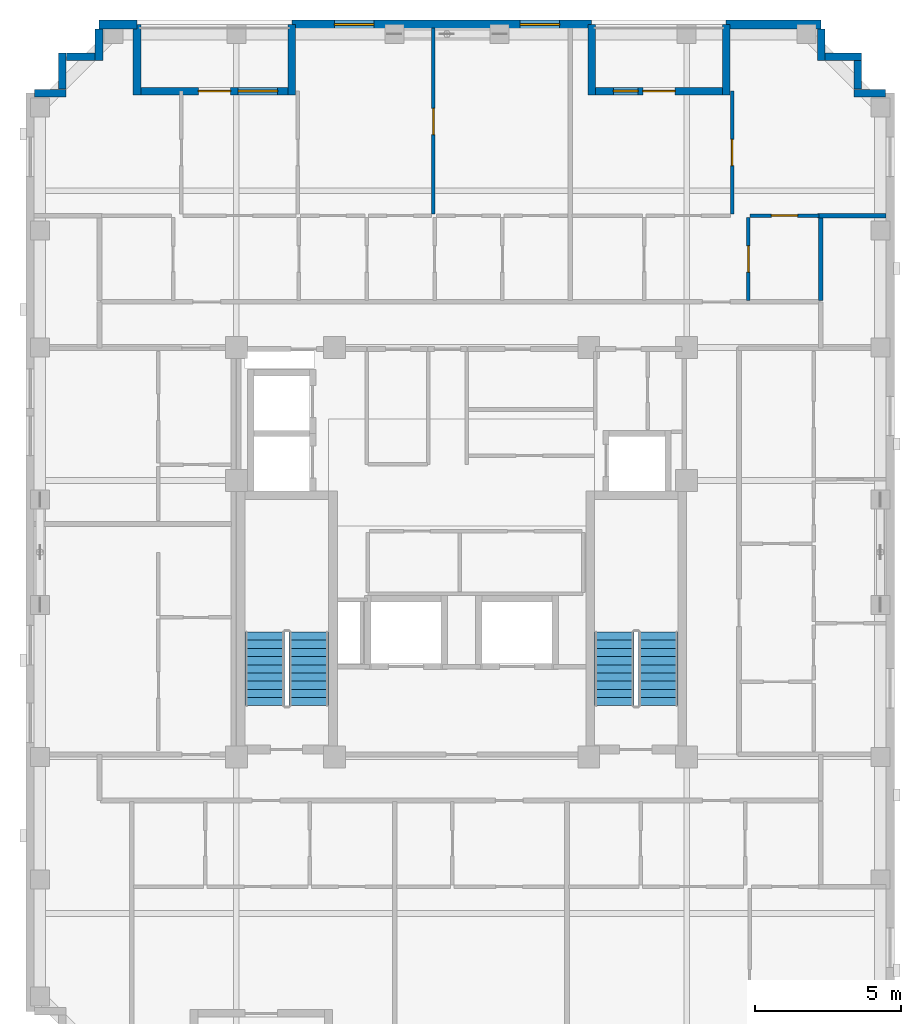
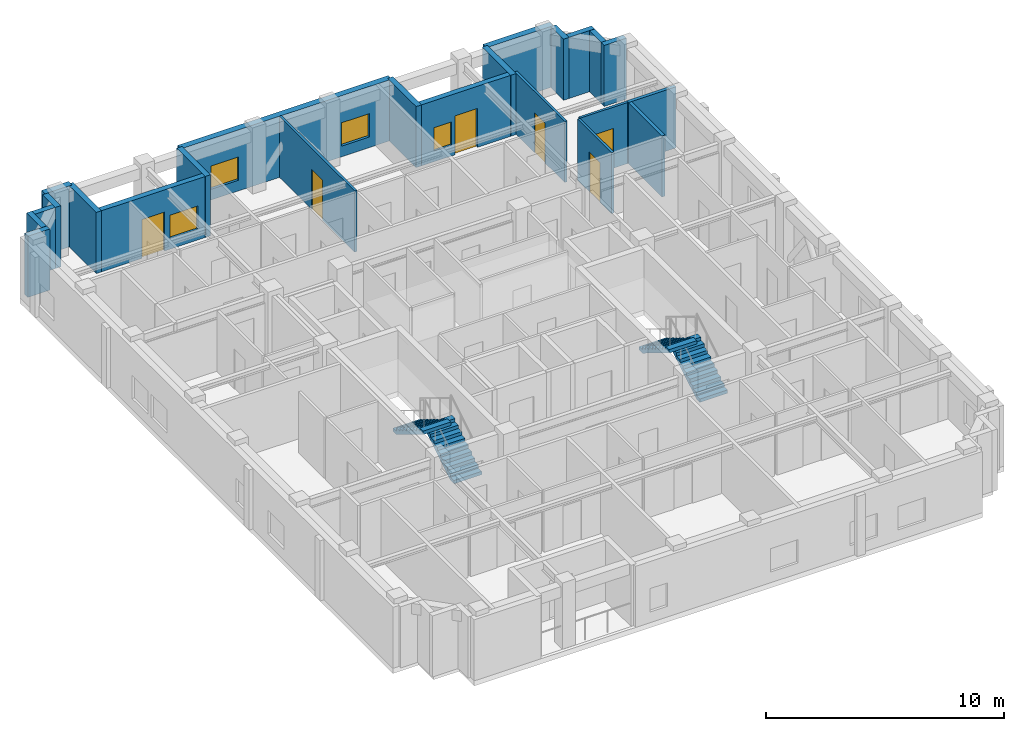
# One storey, part 7 of 11: 23 walls, 6 doors, 4 stair flights, 4 windows, 10 openings, 2 elements without a shape of their own.
"""IFC4 building model written with IfcOpenShell, lengths in metres."""

import ifcopenshell
import ifcopenshell.guid

model = None  # the IFC model being written
_history = None  # IfcOwnerHistory: only IFC2X3 demands one
_inside = {}  # id of a spatial element -> (the spatial element, [elements in it])
_under = {}  # id of a project, library or spatial element -> (it, [spatial elements below it])
_declared = {}  # id of a project -> (the project, [libraries it declares])
_typed = {}  # id of a type object -> (the type object, [elements of that type])
_made_of = {}  # id of a material, layer set ... -> (it, [elements and type objects made of it])


def new_model(schema):
    """Start an empty IFC model of exactly this schema.

    Asked for "IFC4X3", IfcOpenShell would pick the latest addendum, in which some entities
    have other attributes; the version numbers below select the first issue.
    IFC2X3 requires an IfcOwnerHistory on every rooted entity: one is made here for all.
    """
    global model, _history
    if schema == "IFC4X3":
        model = ifcopenshell.file(schema_version=(4, 3, 0, 0))
    else:
        model = ifcopenshell.file(schema=schema)
    _inside.clear()
    _under.clear()
    _declared.clear()
    _typed.clear()
    _made_of.clear()
    _history = None
    if model.schema == "IFC2X3":
        org = make("IfcOrganization", Name="unknown")
        user = make(
            "IfcPersonAndOrganization",
            ThePerson=make("IfcPerson", FamilyName="unknown"),
            TheOrganization=org,
        )
        app = make(
            "IfcApplication",
            ApplicationDeveloper=org,
            Version="unknown",
            ApplicationFullName="unknown",
            ApplicationIdentifier="unknown",
        )
        _history = make(
            "IfcOwnerHistory",
            OwningUser=user,
            OwningApplication=app,
            ChangeAction="ADDED",
            CreationDate=0,
        )
    return model


def make(cls, **values):
    """One entity of the class cls with the attributes given. An attribute that is None is left unset."""
    return model.create_entity(
        cls, **{name: value for name, value in values.items() if value is not None}
    )


def rooted(cls, **values):
    """An entity with a GlobalId (a new one), such as an element, a storey or a relation."""
    return make(cls, GlobalId=ifcopenshell.guid.new(), OwnerHistory=_history, **values)


def si_unit(unit_type, name, prefix=None):
    """IfcSIUnit, for example si_unit("LENGTHUNIT", "METRE", prefix="MILLI")."""
    return make("IfcSIUnit", UnitType=unit_type, Prefix=prefix, Name=name)


def derived_unit(unit_type, elements):
    """IfcDerivedUnit: a product of units, each with its exponent."""
    return make(
        "IfcDerivedUnit",
        Elements=[
            make("IfcDerivedUnitElement", Unit=unit, Exponent=power)
            for unit, power in elements
        ],
        UnitType=unit_type,
    )


def assignment(units):
    """IfcUnitAssignment: the units of a project."""
    return None if units is None else make("IfcUnitAssignment", Units=units)


def point(xyz):
    """IfcCartesianPoint."""
    return None if xyz is None else make("IfcCartesianPoint", Coordinates=xyz)


def direction(xyz):
    """IfcDirection."""
    return None if xyz is None else make("IfcDirection", DirectionRatios=xyz)


def frame(location, z_axis=None, x_axis=None):
    """IfcAxis2Placement3D, a coordinate frame: its origin and axes. An axis left out is left unset."""
    return make(
        "IfcAxis2Placement3D",
        Location=point(location),
        Axis=direction(z_axis),
        RefDirection=direction(x_axis),
    )


def frame_2d(location, x_axis=None):
    """IfcAxis2Placement2D, a coordinate frame in the plane: its origin and x axis."""
    return make(
        "IfcAxis2Placement2D", Location=point(location), RefDirection=direction(x_axis)
    )


def origin():
    """The frame at (0, 0, 0) with its axes left unset."""
    return frame((0.0, 0.0, 0.0))


def place(relative_to, where):
    """IfcLocalPlacement: puts the frame where relative to a parent placement (None: the world)."""
    return make(
        "IfcLocalPlacement", PlacementRelTo=relative_to, RelativePlacement=where
    )


def context(
    kind, dimensions, precision=None, world=None, true_north=None, identifier=None
):
    """IfcGeometricRepresentationContext, for example the 3D "Model" context."""
    return make(
        "IfcGeometricRepresentationContext",
        ContextIdentifier=identifier,
        ContextType=kind,
        CoordinateSpaceDimension=dimensions,
        Precision=precision,
        WorldCoordinateSystem=world,
        TrueNorth=true_north,
    )


def subcontext(parent, identifier, kind, view, scale=None):
    """IfcGeometricRepresentationSubContext, for example "Body" below "Model"."""
    return make(
        "IfcGeometricRepresentationSubContext",
        ContextIdentifier=identifier,
        ContextType=kind,
        ParentContext=parent,
        TargetScale=scale,
        TargetView=view,
    )


def project(units=None, contexts=None):
    """IfcProject with its units and contexts."""
    return rooted(
        "IfcProject",
        Name="project",
        RepresentationContexts=contexts,
        UnitsInContext=assignment(units),
    )


def spatial(cls, under=None, at=None, **own):
    """A site, building, storey or space (cls), placed at a placement, below another one or the project."""
    s = rooted(cls, ObjectPlacement=at, **own)
    if under is not None:
        _under.setdefault(under.id(), (under, []))[1].append(s)
    return s


def polyline(points):
    """IfcPolyline through the points."""
    return make("IfcPolyline", Points=[point(p) for p in points])


def profile(cls, at=None, kind="AREA", **sizes):
    """A parametric profile (cls). Its sizes go by their IFC names, for example OverallWidth=200.0."""
    return make(cls, ProfileType=kind, Position=at, **sizes)


def rectangle(**sizes):
    """IfcRectangleProfileDef."""
    return profile("IfcRectangleProfileDef", **sizes)


def outline(outer, holes=None, kind="AREA"):
    """IfcArbitraryClosedProfileDef: a profile drawn as a closed curve; with holes, ...WithVoids."""
    if holes is None:
        return make("IfcArbitraryClosedProfileDef", ProfileType=kind, OuterCurve=outer)
    return make(
        "IfcArbitraryProfileDefWithVoids",
        ProfileType=kind,
        OuterCurve=outer,
        InnerCurves=holes,
    )


def extrude(swept, where, along, depth):
    """IfcExtrudedAreaSolid: the profile swept, set in the frame where, extruded along a direction by depth."""
    return make(
        "IfcExtrudedAreaSolid",
        SweptArea=swept,
        Position=where,
        ExtrudedDirection=direction(along),
        Depth=depth,
    )


def shape(context_of_items, identifier, shape_type, items):
    """IfcShapeRepresentation: the items that make up one representation, for example the "Body"."""
    return make(
        "IfcShapeRepresentation",
        ContextOfItems=context_of_items,
        RepresentationIdentifier=identifier,
        RepresentationType=shape_type,
        Items=items,
    )


def material(Name=None, Category=None):
    """IfcMaterial."""
    return make("IfcMaterial", Name=Name, Category=Category)


def layer(
    of_material, thickness, ventilated=None, Name=None, Category=None, Priority=None
):
    """IfcMaterialLayer: one layer of a wall or slab, of a material (None: an air gap)."""
    return make(
        "IfcMaterialLayer",
        Material=of_material,
        LayerThickness=thickness,
        IsVentilated=ventilated,
        Name=Name,
        Category=Category,
        Priority=Priority,
    )


def layer_set(layers, Name=None):
    """IfcMaterialLayerSet."""
    return make("IfcMaterialLayerSet", MaterialLayers=layers, LayerSetName=Name)


def made_of(thing, what):
    """Note that an element or type object is made of a material, layer set ...; save() writes the relation."""
    if what is not None:
        _made_of.setdefault(what.id(), (what, []))[1].append(thing)
    return thing


def type_object(cls, material=None, **own):
    """A type object (cls), such as IfcWallType, which elements share."""
    return made_of(rooted(cls, **own), material)


def element(
    cls,
    number,
    at=None,
    inside=None,
    cuts=None,
    type_object=None,
    material=None,
    context=None,
    identifier="Body",
    shape_type=None,
    held_by="IfcProductDefinitionShape",
    body=None,
    shapes=None,
    **own,
):
    """One element of the class cls, such as IfcWall. Its Tag is "e" and its number.

    at: its placement. inside: the storey or other place that contains it. cuts: it is an
    opening in that element (IfcRelVoidsElement). A single representation is given by context,
    identifier, shape_type and body (its items); several are given by shapes. held_by: the class
    of the entity that holds the representations. save() writes the other relations.
    """
    e = rooted(cls, Tag="e%d" % number, ObjectPlacement=at, **own)
    if body is not None:
        shapes = [shape(context, identifier, shape_type, body)]
    if shapes is not None:
        e.Representation = make(held_by, Representations=shapes)
    if inside is not None:
        _inside.setdefault(inside.id(), (inside, []))[1].append(e)
    if cuts is not None:
        rooted(
            "IfcRelVoidsElement", RelatingBuildingElement=cuts, RelatedOpeningElement=e
        )
    if type_object is not None:
        _typed.setdefault(type_object.id(), (type_object, []))[1].append(e)
    return made_of(e, material)


def fill(opening, filler):
    """IfcRelFillsElement: the door or window that sits in an opening."""
    return rooted(
        "IfcRelFillsElement",
        RelatingOpeningElement=opening,
        RelatedBuildingElement=filler,
    )


def aggregate(whole, parts):
    """IfcRelAggregates: a whole, such as a stair, and the parts it consists of."""
    return rooted("IfcRelAggregates", RelatingObject=whole, RelatedObjects=parts)


def save(model, path):
    """Write the relations noted so far, then the file.

    IfcRelAggregates (storeys below a building ...), IfcRelContainedInSpatialStructure (elements
    in a storey), IfcRelDefinesByType, IfcRelAssociatesMaterial and IfcRelDeclares: one each for
    every whole, place, type object, material and project.
    """
    for whole, parts in _under.values():
        aggregate(whole, parts)
    for where, things in _inside.values():
        rooted(
            "IfcRelContainedInSpatialStructure",
            RelatedElements=things,
            RelatingStructure=where,
        )
    for kind, things in _typed.values():
        rooted("IfcRelDefinesByType", RelatedObjects=things, RelatingType=kind)
    for what, things in _made_of.values():
        rooted("IfcRelAssociatesMaterial", RelatedObjects=things, RelatingMaterial=what)
    for by, libraries in _declared.values():
        rooted("IfcRelDeclares", RelatingContext=by, RelatedDefinitions=libraries)
    model.write(path)


model = new_model("IFC4")

# Units and contexts
model_context = context("Model", 3, precision=1e-05, world=origin(), true_north=direction((0.0, 1.0)))
body_context = subcontext(model_context, "Body", "Model", "MODEL_VIEW")
ifc_project = project(units=[si_unit("LENGTHUNIT", "METRE"), si_unit("AREAUNIT", "SQUARE_METRE"), si_unit("VOLUMEUNIT", "CUBIC_METRE"), si_unit("PLANEANGLEUNIT", "RADIAN"), si_unit("MASSUNIT", "GRAM", prefix="KILO"), derived_unit("THERMALTRANSMITTANCEUNIT", [(si_unit("MASSUNIT", "GRAM", prefix="KILO"), 1), (si_unit("TIMEUNIT", "SECOND"), -3), (si_unit("THERMODYNAMICTEMPERATUREUNIT", "KELVIN"), -1)])], contexts=[model_context])

# Site, building, storey
site_placement = place(None, origin())
site = spatial("IfcSite", under=ifc_project, at=site_placement, CompositionType="ELEMENT")
building_placement = place(site_placement, origin())
building = spatial("IfcBuilding", under=site, at=building_placement, Name="Korrvale Station Residences", CompositionType="ELEMENT")
storey_placement = place(building_placement, frame((0.0, 0.0, 254.699951171875)))
storey = spatial("IfcBuildingStorey", under=building, at=storey_placement, Name="L74", CompositionType="ELEMENT", Elevation=254.699951171875)

# Wall
ifc_material_1 = material(Name="Precast concrete C45/55", Category="concrete")
ifc_layer_1 = layer(ifc_material_1, 0.260009765625, Name="Precast concrete C45/55")
ifc_layer_set_1 = layer_set([ifc_layer_1], Name="Precast concrete C45/55")
wall_type_1 = type_object("IfcWallType", Name="WAL-EXT-LOG260", PredefinedType="SOLIDWALL", material=ifc_layer_set_1)
wall_1_placement = place(storey_placement, frame((14.39990234375, 40.0400390625, 0.0), z_axis=(0.0, 0.0, 1.0), x_axis=(0.0, -1.0, 0.0)))
element("IfcWall", 1, at=wall_1_placement, inside=storey, type_object=wall_type_1, Name="L74 Recessed Loggia Wall BAL-L74-N2-L", PredefinedType="SOLIDWALL", context=body_context, shape_type="SweptSolid", body=[
    extrude(rectangle(XDim=2.400146484375, YDim=0.260009765625, at=frame_2d((1.2001953125, 0.0))), origin(), (0.0, 0.0, 1.0), 3.14013671875),
])

# Wall, openings, door, window
wall_2_placement = place(storey_placement, frame((14.533935546875, 37.77001953125, 0.0), z_axis=(0.0, 0.0, 1.0), x_axis=(1.0, 0.0, 0.0)))
wall_2 = element("IfcWall", 2, at=wall_2_placement, inside=storey, type_object=wall_type_1, Name="L74 Recessed Loggia Wall BAL-L74-N2-B", PredefinedType="SOLIDWALL", context=body_context, shape_type="SweptSolid", body=[
    extrude(rectangle(XDim=5.031982421875, YDim=0.260009765625, at=frame_2d((2.51611328125, 0.0))), origin(), (0.0, 0.0, 1.0), 3.14013671875),
])
opening_1_placement = place(wall_2_placement, frame((1.966064453125, 0.0, 0.0)))
opening_1 = element("IfcOpeningElement", 3, at=opening_1_placement, cuts=wall_2, Name="Opening BD-01", PredefinedType="OPENING", context=body_context, shape_type="SweptSolid", body=[
    extrude(rectangle(XDim=1.10009765625, YDim=2.0, at=frame_2d((0.550048828125, 1.0))), frame((0.0, 0.14013671875, 0.0), z_axis=(0.0, -1.0, 0.0), x_axis=(1.0, 0.0, 0.0)), (0.0, 0.0, 1.0), 0.280029296875),
])
opening_2_placement = place(wall_2_placement, frame((3.325927734375, 0.0, 0.550048828125)))
opening_2 = element("IfcOpeningElement", 4, at=opening_2_placement, cuts=wall_2, Name="Opening W-10", PredefinedType="OPENING", context=body_context, shape_type="SweptSolid", body=[
    extrude(rectangle(XDim=1.35009765625, YDim=1.199951171875, at=frame_2d((0.675048828125, 0.60009765625))), frame((0.0, 0.14013671875, 0.0), z_axis=(0.0, -1.0, 0.0), x_axis=(1.0, 0.0, 0.0)), (0.0, 0.0, 1.0), 0.280029296875),
])
ifc_material_2 = material(Name="Exterior thermally broken aluminium glazed balcony door", Category="aluminium")
door_type_1 = type_object("IfcDoorType", Name="DR-EXT-BAL", OperationType="NOTDEFINED", PredefinedType="DOOR", material=ifc_material_2)
door_1_placement = place(opening_1_placement, origin())
door_1 = element("IfcDoor", 5, at=door_1_placement, inside=storey, type_object=door_type_1, Name="L74 Loggia Balcony Door BAL-L74-N2", OperationType="SINGLE_SWING_RIGHT", OverallHeight=2.0, OverallWidth=1.10009765625, PredefinedType="DOOR", context=body_context, shape_type="SweptSolid", body=[
    extrude(rectangle(XDim=1.10009765625, YDim=2.0, at=frame_2d((0.550048828125, 1.0))), frame((0.0, 0.02490234375, 0.0), z_axis=(0.0, -1.0, 0.0), x_axis=(1.0, 0.0, 0.0)), (0.0, 0.0, 1.0), 0.050048828125),
])
fill(opening_1, door_1)
ifc_material_3 = material(Name="Thermally broken aluminium frame with triple low-e glazing", Category="aluminium")
window_type_1 = type_object("IfcWindowType", Name="WIN-W10", PartitioningType="SINGLE_PANEL", PredefinedType="WINDOW", material=ifc_material_3)
window_1_placement = place(opening_2_placement, origin())
window_1 = element("IfcWindow", 6, at=window_1_placement, inside=storey, type_object=window_type_1, Name="L74 Punched Window 07", OverallHeight=1.199951171875, OverallWidth=1.35009765625, PartitioningType="SINGLE_PANEL", PredefinedType="WINDOW", context=body_context, shape_type="SweptSolid", body=[
    extrude(rectangle(XDim=1.35009765625, YDim=1.199951171875, at=frame_2d((0.675048828125, 0.60009765625))), frame((0.0, 0.030029296875, 0.0), z_axis=(0.0, -1.0, 0.0), x_axis=(1.0, 0.0, 0.0)), (0.0, 0.0, 1.0), 0.06005859375),
])
fill(opening_2, window_1)

# Walls
for number, where, z_axis, x_axis, name in (
    (7, (19.699951171875, 37.639892578125, 0.0), (0.0, 0.0, 1.0), (0.0, 1.0, 0.0), "L74 Recessed Loggia Wall BAL-L74-N2-R"),
    (8, (29.949951171875, 40.0400390625, 0.0), (0.0, 0.0, 1.0), (0.0, -1.0, 0.0), "L74 Recessed Loggia Wall BAL-L74-N1-L"),
):
    element("IfcWall", number, at=place(storey_placement, frame(where, z_axis=z_axis, x_axis=x_axis)), inside=storey, type_object=wall_type_1, Name=name, PredefinedType="SOLIDWALL", context=body_context, shape_type="SweptSolid", body=[
        extrude(rectangle(XDim=2.400146484375, YDim=0.260009765625, at=frame_2d((1.2001953125, 0.0))), origin(), (0.0, 0.0, 1.0), 3.14013671875),
    ])

# Wall, openings, door, window
wall_3_placement = place(storey_placement, frame((30.083984375, 37.77001953125, 0.0), z_axis=(0.0, 0.0, 1.0), x_axis=(1.0, 0.0, 0.0)))
wall_3 = element("IfcWall", 9, at=wall_3_placement, inside=storey, type_object=wall_type_1, Name="L74 Recessed Loggia Wall BAL-L74-N1-B", PredefinedType="SOLIDWALL", context=body_context, shape_type="SweptSolid", body=[
    extrude(rectangle(XDim=4.33203125, YDim=0.260009765625, at=frame_2d((2.166015625, 0.0))), origin(), (0.0, 0.0, 1.0), 3.14013671875),
])
opening_3_placement = place(wall_3_placement, frame((1.615966796875, 0.0, 0.0)))
opening_3 = element("IfcOpeningElement", 10, at=opening_3_placement, cuts=wall_3, Name="Opening BD-01", PredefinedType="OPENING", context=body_context, shape_type="SweptSolid", body=[
    extrude(rectangle(XDim=1.10009765625, YDim=2.0, at=frame_2d((0.550048828125, 1.0))), frame((0.0, 0.14013671875, 0.0), z_axis=(0.0, -1.0, 0.0), x_axis=(1.0, 0.0, 0.0)), (0.0, 0.0, 1.0), 0.280029296875),
])
opening_4_placement = place(wall_3_placement, frame((0.60595703125, 0.0, 0.550048828125)))
opening_4 = element("IfcOpeningElement", 11, at=opening_4_placement, cuts=wall_3, Name="Opening W-11", PredefinedType="OPENING", context=body_context, shape_type="SweptSolid", body=[
    extrude(rectangle(XDim=0.85009765625, YDim=1.199951171875, at=frame_2d((0.425048828125, 0.60009765625))), frame((0.0, 0.14013671875, 0.0), z_axis=(0.0, -1.0, 0.0), x_axis=(1.0, 0.0, 0.0)), (0.0, 0.0, 1.0), 0.280029296875),
])
door_2_placement = place(opening_3_placement, origin())
door_2 = element("IfcDoor", 12, at=door_2_placement, inside=storey, type_object=door_type_1, Name="L74 Loggia Balcony Door BAL-L74-N1", OperationType="SINGLE_SWING_LEFT", OverallHeight=2.0, OverallWidth=1.10009765625, PredefinedType="DOOR", context=body_context, shape_type="SweptSolid", body=[
    extrude(rectangle(XDim=1.10009765625, YDim=2.0, at=frame_2d((0.550048828125, 1.0))), frame((0.0, 0.02490234375, 0.0), z_axis=(0.0, -1.0, 0.0), x_axis=(1.0, 0.0, 0.0)), (0.0, 0.0, 1.0), 0.050048828125),
])
fill(opening_3, door_2)
window_type_2 = type_object("IfcWindowType", Name="WIN-W11", PartitioningType="SINGLE_PANEL", PredefinedType="WINDOW", material=ifc_material_3)
window_2_placement = place(opening_4_placement, origin())
window_2 = element("IfcWindow", 13, at=window_2_placement, inside=storey, type_object=window_type_2, Name="L74 Punched Window 10", OverallHeight=1.199951171875, OverallWidth=0.85009765625, PartitioningType="SINGLE_PANEL", PredefinedType="WINDOW", context=body_context, shape_type="SweptSolid", body=[
    extrude(rectangle(XDim=0.85009765625, YDim=1.199951171875, at=frame_2d((0.425048828125, 0.60009765625))), frame((0.0, 0.030029296875, 0.0), z_axis=(0.0, -1.0, 0.0), x_axis=(1.0, 0.0, 0.0)), (0.0, 0.0, 1.0), 0.06005859375),
])
fill(opening_4, window_2)

# Walls
wall_4_placement = place(storey_placement, frame((34.550048828125, 37.639892578125, 0.0), z_axis=(0.0, 0.0, 1.0), x_axis=(0.0, 1.0, 0.0)))
element("IfcWall", 14, at=wall_4_placement, inside=storey, type_object=wall_type_1, Name="L74 Recessed Loggia Wall BAL-L74-N1-R", PredefinedType="SOLIDWALL", context=body_context, shape_type="SweptSolid", body=[
    extrude(rectangle(XDim=2.400146484375, YDim=0.260009765625, at=frame_2d((1.2001953125, 0.0))), origin(), (0.0, 0.0, 1.0), 3.14013671875),
])
wall_5_placement = place(storey_placement, frame((10.902099609375, 37.699951171875, 0.0), z_axis=(0.0, 0.0, 1.0), x_axis=(1.0, 0.0, 0.0)))
element("IfcWall", 15, at=wall_5_placement, inside=storey, type_object=wall_type_1, Name="L74 Serrated Corner Precast Step NW-1", PredefinedType="SOLIDWALL", context=body_context, shape_type="SweptSolid", body=[
    extrude(rectangle(XDim=1.077880859375, YDim=0.260009765625, at=frame_2d((0.5390625, 0.0))), origin(), (0.0, 0.0, 1.0), 3.14013671875),
])
wall_6_placement = place(storey_placement, frame((11.85009765625, 37.83203125, 0.0), z_axis=(0.0, 0.0, 1.0), x_axis=(0.0, 1.0, 0.0)))
element("IfcWall", 16, at=wall_6_placement, inside=storey, type_object=wall_type_1, Name="L74 Serrated Corner Precast Step NW-2", PredefinedType="SOLIDWALL", context=body_context, shape_type="SweptSolid", body=[
    extrude(rectangle(XDim=1.248046875, YDim=0.260009765625, at=frame_2d((0.6240234375, 0.0))), origin(), (0.0, 0.0, 1.0), 3.14013671875),
])
wall_7_placement = place(storey_placement, frame((11.98193359375, 38.949951171875, 0.0), z_axis=(0.0, 0.0, 1.0), x_axis=(1.0, 0.0, 0.0)))
element("IfcWall", 17, at=wall_7_placement, inside=storey, type_object=wall_type_1, Name="L74 Serrated Corner Precast Step NW-3", PredefinedType="SOLIDWALL", context=body_context, shape_type="SweptSolid", body=[
    extrude(rectangle(XDim=0.986083984375, YDim=0.260009765625, at=frame_2d((0.4931640625, 0.0))), origin(), (0.0, 0.0, 1.0), 3.14013671875),
])
for number, where, z_axis, x_axis, name in (
    (18, (13.10009765625, 38.820068359375, 0.0), (0.0, 0.0, 1.0), (0.0, 1.0, 0.0), "L74 Serrated Corner Precast Step NW-4"),
    (19, (37.800048828125, 39.89794921875, 0.0), (0.0, 0.0, 1.0), (0.0, -1.0, 0.0), "L74 Serrated Corner Precast Step NE-1"),
):
    element("IfcWall", number, at=place(storey_placement, frame(where, z_axis=z_axis, x_axis=x_axis)), inside=storey, type_object=wall_type_1, Name=name, PredefinedType="SOLIDWALL", context=body_context, shape_type="SweptSolid", body=[
        extrude(rectangle(XDim=1.077880859375, YDim=0.260009765625, at=frame_2d((0.5390625, 0.0))), origin(), (0.0, 0.0, 1.0), 3.14013671875),
    ])
wall_8_placement = place(storey_placement, frame((37.931884765625, 38.949951171875, 0.0), z_axis=(0.0, 0.0, 1.0), x_axis=(1.0, 0.0, 0.0)))
element("IfcWall", 20, at=wall_8_placement, inside=storey, type_object=wall_type_1, Name="L74 Serrated Corner Precast Step NE-2", PredefinedType="SOLIDWALL", context=body_context, shape_type="SweptSolid", body=[
    extrude(rectangle(XDim=1.248046875, YDim=0.260009765625, at=frame_2d((0.6240234375, 0.0))), origin(), (0.0, 0.0, 1.0), 3.14013671875),
])
wall_9_placement = place(storey_placement, frame((39.050048828125, 38.818115234375, 0.0), z_axis=(0.0, 0.0, 1.0), x_axis=(0.0, -1.0, 0.0)))
element("IfcWall", 21, at=wall_9_placement, inside=storey, type_object=wall_type_1, Name="L74 Serrated Corner Precast Step NE-3", PredefinedType="SOLIDWALL", context=body_context, shape_type="SweptSolid", body=[
    extrude(rectangle(XDim=0.986083984375, YDim=0.260009765625, at=frame_2d((0.4931640625, 0.0))), origin(), (0.0, 0.0, 1.0), 3.14013671875),
])
wall_10_placement = place(storey_placement, frame((38.919921875, 37.699951171875, 0.0), z_axis=(0.0, 0.0, 1.0), x_axis=(1.0, 0.0, 0.0)))
element("IfcWall", 22, at=wall_10_placement, inside=storey, type_object=wall_type_1, Name="L74 Serrated Corner Precast Step NE-4", PredefinedType="SOLIDWALL", context=body_context, shape_type="SweptSolid", body=[
    extrude(rectangle(XDim=1.078125, YDim=0.260009765625, at=frame_2d((0.5390625, 0.0))), origin(), (0.0, 0.0, 1.0), 3.14013671875),
])
ifc_layer_2 = layer(ifc_material_1, 0.300048828125, Name="Precast concrete C45/55")
ifc_layer_set_2 = layer_set([ifc_layer_2], Name="Precast concrete C45/55")
wall_type_2 = type_object("IfcWallType", Name="WAL-EXT-PC300", PredefinedType="SOLIDWALL", material=ifc_layer_set_2)
wall_11_placement = place(storey_placement, frame((13.10009765625, 40.050048828125, 0.0), z_axis=(0.0, 0.0, 1.0), x_axis=(1.0, 0.0, 0.0)))
element("IfcWall", 23, at=wall_11_placement, inside=storey, type_object=wall_type_2, Name="L74 North Exterior Precast Wall 1", PredefinedType="SOLIDWALL", context=body_context, shape_type="SweptSolid", body=[
    extrude(rectangle(XDim=1.2998046875, YDim=0.300048828125, at=frame_2d((0.64990234375, 0.0))), origin(), (0.0, 0.0, 1.0), 3.14013671875),
])

# Wall, openings, windows
wall_12_placement = place(storey_placement, frame((19.699951171875, 40.050048828125, 0.0), z_axis=(0.0, 0.0, 1.0), x_axis=(1.0, 0.0, 0.0)))
wall_12 = element("IfcWall", 24, at=wall_12_placement, inside=storey, type_object=wall_type_2, Name="L74 North Exterior Precast Wall 2", PredefinedType="SOLIDWALL", context=body_context, shape_type="SweptSolid", body=[
    extrude(rectangle(XDim=10.25, YDim=0.300048828125, at=frame_2d((5.125, 0.0))), origin(), (0.0, 0.0, 1.0), 3.14013671875),
])
opening_5_placement = place(wall_12_placement, frame((1.449951171875, 0.0, 0.550048828125)))
opening_5 = element("IfcOpeningElement", 25, at=opening_5_placement, cuts=wall_12, Name="Opening W-10", PredefinedType="OPENING", context=body_context, shape_type="SweptSolid", body=[
    extrude(rectangle(XDim=1.35009765625, YDim=1.199951171875, at=frame_2d((0.675048828125, 0.60009765625))), frame((0.0, 0.16015625, 0.0), z_axis=(0.0, -1.0, 0.0), x_axis=(1.0, 0.0, 0.0)), (0.0, 0.0, 1.0), 0.320068359375),
])
opening_6_placement = place(wall_12_placement, frame((7.800048828125, 0.0, 0.550048828125)))
opening_6 = element("IfcOpeningElement", 26, at=opening_6_placement, cuts=wall_12, Name="Opening W-10", PredefinedType="OPENING", context=body_context, shape_type="SweptSolid", body=[
    extrude(rectangle(XDim=1.35009765625, YDim=1.199951171875, at=frame_2d((0.675048828125, 0.60009765625))), frame((0.0, 0.16015625, 0.0), z_axis=(0.0, -1.0, 0.0), x_axis=(1.0, 0.0, 0.0)), (0.0, 0.0, 1.0), 0.320068359375),
])
window_3_placement = place(opening_5_placement, origin())
window_3 = element("IfcWindow", 27, at=window_3_placement, inside=storey, type_object=window_type_1, Name="L74 Punched Window 08", OverallHeight=1.199951171875, OverallWidth=1.35009765625, PartitioningType="SINGLE_PANEL", PredefinedType="WINDOW", context=body_context, shape_type="SweptSolid", body=[
    extrude(rectangle(XDim=1.35009765625, YDim=1.199951171875, at=frame_2d((0.675048828125, 0.60009765625))), frame((0.0, 0.030029296875, 0.0), z_axis=(0.0, -1.0, 0.0), x_axis=(1.0, 0.0, 0.0)), (0.0, 0.0, 1.0), 0.06005859375),
])
fill(opening_5, window_3)
window_4_placement = place(opening_6_placement, origin())
window_4 = element("IfcWindow", 28, at=window_4_placement, inside=storey, type_object=window_type_1, Name="L74 Punched Window 09", OverallHeight=1.199951171875, OverallWidth=1.35009765625, PartitioningType="SINGLE_PANEL", PredefinedType="WINDOW", context=body_context, shape_type="SweptSolid", body=[
    extrude(rectangle(XDim=1.35009765625, YDim=1.199951171875, at=frame_2d((0.675048828125, 0.60009765625))), frame((0.0, 0.030029296875, 0.0), z_axis=(0.0, -1.0, 0.0), x_axis=(1.0, 0.0, 0.0)), (0.0, 0.0, 1.0), 0.06005859375),
])
fill(opening_6, window_4)

# Wall
wall_13_placement = place(storey_placement, frame((34.550048828125, 40.050048828125, 0.0), z_axis=(0.0, 0.0, 1.0), x_axis=(1.0, 0.0, 0.0)))
element("IfcWall", 29, at=wall_13_placement, inside=storey, type_object=wall_type_2, Name="L74 North Exterior Precast Wall 3", PredefinedType="SOLIDWALL", context=body_context, shape_type="SweptSolid", body=[
    extrude(rectangle(XDim=3.25, YDim=0.300048828125, at=frame_2d((1.625, 0.0))), origin(), (0.0, 0.0, 1.0), 3.14013671875),
])

# Wall, opening, door
ifc_material_4 = material(Name="Acoustic steel-stud gypsum board partition", Category="steel")
ifc_layer_3 = layer(ifc_material_4, 0.1201171875, Name="Acoustic steel-stud gypsum board partition")
ifc_layer_set_3 = layer_set([ifc_layer_3], Name="Acoustic steel-stud gypsum board partition")
wall_type_3 = type_object("IfcWallType", Name="WAL-PART-125", PredefinedType="PARTITIONING", material=ifc_layer_set_3)
wall_14_placement = place(storey_placement, frame((24.5400390625, 33.570068359375, 0.0), z_axis=(0.0, 0.0, 1.0), x_axis=(0.0, 1.0, 0.0)))
wall_14 = element("IfcWall", 30, at=wall_14_placement, inside=storey, type_object=wall_type_3, Name="L74 Suite Partition U04-V89", PredefinedType="PARTITIONING", context=body_context, shape_type="SweptSolid", body=[
    extrude(rectangle(XDim=6.349853515625, YDim=0.1201171875, at=frame_2d((3.1748046875, 0.0))), origin(), (0.0, 0.0, 1.0), 3.14013671875),
])
opening_7_placement = place(wall_14_placement, frame((2.7099609375, 0.0, 0.0)))
opening_7 = element("IfcOpeningElement", 31, at=opening_7_placement, cuts=wall_14, Name="Opening DI-900", PredefinedType="OPENING", context=body_context, shape_type="SweptSolid", body=[
    extrude(rectangle(XDim=0.89990234375, YDim=2.050048828125, at=frame_2d((0.449951171875, 1.02490234375))), frame((0.0, 0.070068359375, 0.0), z_axis=(0.0, -1.0, 0.0), x_axis=(1.0, 0.0, 0.0)), (0.0, 0.0, 1.0), 0.14013671875),
])
ifc_material_5 = material(Name="Painted solid-core timber interior room door", Category="wood")
door_type_2 = type_object("IfcDoorType", Name="DR-INT-900", OperationType="NOTDEFINED", PredefinedType="DOOR", material=ifc_material_5)
door_3_placement = place(opening_7_placement, origin())
door_3 = element("IfcDoor", 32, at=door_3_placement, inside=storey, type_object=door_type_2, Name="L74 Apartment 2BR L74-U04 Bedroom 1 Door", OperationType="SINGLE_SWING_RIGHT", OverallHeight=2.050048828125, OverallWidth=0.89990234375, PredefinedType="DOOR", context=body_context, shape_type="SweptSolid", body=[
    extrude(rectangle(XDim=0.89990234375, YDim=2.050048828125, at=frame_2d((0.449951171875, 1.02490234375))), frame((0.0, 0.02490234375, 0.0), z_axis=(0.0, -1.0, 0.0), x_axis=(1.0, 0.0, 0.0)), (0.0, 0.0, 1.0), 0.050048828125),
])
fill(opening_7, door_3)

wall_15_placement = place(storey_placement, frame((35.31005859375, 30.60009765625, 0.0), z_axis=(0.0, 0.0, 1.0), x_axis=(0.0, 1.0, 0.0)))
wall_15 = element("IfcWall", 33, at=wall_15_placement, inside=storey, type_object=wall_type_3, Name="L74 Suite Partition U05-V12", PredefinedType="PARTITIONING", context=body_context, shape_type="SweptSolid", body=[
    extrude(rectangle(XDim=2.849853515625, YDim=0.1201171875, at=frame_2d((1.4248046875, 0.0))), origin(), (0.0, 0.0, 1.0), 3.14013671875),
])
opening_8_placement = place(wall_15_placement, frame((0.97509765625, 0.0, 0.0)))
opening_8 = element("IfcOpeningElement", 34, at=opening_8_placement, cuts=wall_15, Name="Opening DI-900", PredefinedType="OPENING", context=body_context, shape_type="SweptSolid", body=[
    extrude(rectangle(XDim=0.89990234375, YDim=2.050048828125, at=frame_2d((0.449951171875, 1.02490234375))), frame((0.0, 0.070068359375, 0.0), z_axis=(0.0, -1.0, 0.0), x_axis=(1.0, 0.0, 0.0)), (0.0, 0.0, 1.0), 0.14013671875),
])
door_4_placement = place(opening_8_placement, origin())
door_4 = element("IfcDoor", 35, at=door_4_placement, inside=storey, type_object=door_type_2, Name="L74 Apartment 1BR L74-U05 Kitchen Door", OperationType="SINGLE_SWING_RIGHT", OverallHeight=2.050048828125, OverallWidth=0.89990234375, PredefinedType="DOOR", context=body_context, shape_type="SweptSolid", body=[
    extrude(rectangle(XDim=0.89990234375, YDim=2.050048828125, at=frame_2d((0.449951171875, 1.02490234375))), frame((0.0, 0.02490234375, 0.0), z_axis=(0.0, -1.0, 0.0), x_axis=(1.0, 0.0, 0.0)), (0.0, 0.0, 1.0), 0.050048828125),
])
fill(opening_8, door_4)

wall_16_placement = place(storey_placement, frame((35.3701171875, 33.510009765625, 0.0), z_axis=(0.0, 0.0, 1.0), x_axis=(1.0, 0.0, 0.0)))
wall_16 = element("IfcWall", 36, at=wall_16_placement, inside=storey, type_object=wall_type_3, Name="L74 Suite Partition U05-H24", PredefinedType="PARTITIONING", context=body_context, shape_type="SweptSolid", body=[
    extrude(rectangle(XDim=2.349853515625, YDim=0.1201171875, at=frame_2d((1.1748046875, 0.0))), origin(), (0.0, 0.0, 1.0), 3.14013671875),
])
opening_9_placement = place(wall_16_placement, frame((0.72509765625, 0.0, 0.0)))
opening_9 = element("IfcOpeningElement", 37, at=opening_9_placement, cuts=wall_16, Name="Opening DI-900", PredefinedType="OPENING", context=body_context, shape_type="SweptSolid", body=[
    extrude(rectangle(XDim=0.89990234375, YDim=2.050048828125, at=frame_2d((0.449951171875, 1.02490234375))), frame((0.0, 0.070068359375, 0.0), z_axis=(0.0, -1.0, 0.0), x_axis=(1.0, 0.0, 0.0)), (0.0, 0.0, 1.0), 0.14013671875),
])
door_5_placement = place(opening_9_placement, origin())
door_5 = element("IfcDoor", 38, at=door_5_placement, inside=storey, type_object=door_type_2, Name="L74 Apartment 1BR L74-U05 Utility and Laundry Room Door", OperationType="SINGLE_SWING_RIGHT", OverallHeight=2.050048828125, OverallWidth=0.89990234375, PredefinedType="DOOR", context=body_context, shape_type="SweptSolid", body=[
    extrude(rectangle(XDim=0.89990234375, YDim=2.050048828125, at=frame_2d((0.449951171875, 1.02490234375))), frame((0.0, 0.02490234375, 0.0), z_axis=(0.0, -1.0, 0.0), x_axis=(1.0, 0.0, 0.0)), (0.0, 0.0, 1.0), 0.050048828125),
])
fill(opening_9, door_5)

wall_17_placement = place(storey_placement, frame((34.75, 33.570068359375, 0.0), z_axis=(0.0, 0.0, 1.0), x_axis=(0.0, 1.0, 0.0)))
wall_17 = element("IfcWall", 39, at=wall_17_placement, inside=storey, type_object=wall_type_3, Name="L74 Suite Partition U05-V34", PredefinedType="PARTITIONING", context=body_context, shape_type="SweptSolid", body=[
    extrude(rectangle(XDim=4.199951171875, YDim=0.1201171875, at=frame_2d((2.10009765625, 0.0))), origin(), (0.0, 0.0, 1.0), 3.14013671875),
])
opening_10_placement = place(wall_17_placement, frame((1.64990234375, 0.0, 0.0)))
opening_10 = element("IfcOpeningElement", 40, at=opening_10_placement, cuts=wall_17, Name="Opening DI-900", PredefinedType="OPENING", context=body_context, shape_type="SweptSolid", body=[
    extrude(rectangle(XDim=0.89990234375, YDim=2.050048828125, at=frame_2d((0.449951171875, 1.02490234375))), frame((0.0, 0.070068359375, 0.0), z_axis=(0.0, -1.0, 0.0), x_axis=(1.0, 0.0, 0.0)), (0.0, 0.0, 1.0), 0.14013671875),
])
door_6_placement = place(opening_10_placement, origin())
door_6 = element("IfcDoor", 41, at=door_6_placement, inside=storey, type_object=door_type_2, Name="L74 Apartment 1BR L74-U05 Living and Dining Room Door", OperationType="SINGLE_SWING_LEFT", OverallHeight=2.050048828125, OverallWidth=0.89990234375, PredefinedType="DOOR", context=body_context, shape_type="SweptSolid", body=[
    extrude(rectangle(XDim=0.89990234375, YDim=2.050048828125, at=frame_2d((0.449951171875, 1.02490234375))), frame((0.0, 0.02490234375, 0.0), z_axis=(0.0, -1.0, 0.0), x_axis=(1.0, 0.0, 0.0)), (0.0, 0.0, 1.0), 0.050048828125),
])
fill(opening_10, door_6)

# Walls
ifc_material_6 = material(Name="Fire-rated twin-stud gypsum and mineral wool shaftwall assembly", Category="gypsum")
ifc_layer_4 = layer(ifc_material_6, 0.159912109375, Name="Fire-rated twin-stud gypsum and mineral wool shaftwall assembly")
ifc_layer_set_4 = layer_set([ifc_layer_4], Name="Fire-rated twin-stud gypsum and mineral wool shaftwall assembly")
wall_type_4 = type_object("IfcWallType", Name="WAL-PART-200", PredefinedType="PARTITIONING", material=ifc_layer_set_4)
wall_18_placement = place(storey_placement, frame((37.679931640625, 33.510009765625, 0.0), z_axis=(0.0, 0.0, 1.0), x_axis=(1.0, 0.0, 0.0)))
element("IfcWall", 42, at=wall_18_placement, inside=storey, type_object=wall_type_4, Name="L74 Corner Step Wall U05-R", PredefinedType="PARTITIONING", context=body_context, shape_type="SweptSolid", body=[
    extrude(rectangle(XDim=2.340087890625, YDim=0.159912109375, at=frame_2d((1.169921875, 0.0))), origin(), (0.0, 0.0, 1.0), 3.14013671875),
])
wall_19_placement = place(storey_placement, frame((37.780029296875, 30.60009765625, 0.0), z_axis=(0.0, 0.0, 1.0), x_axis=(0.0, 1.0, 0.0)))
element("IfcWall", 43, at=wall_19_placement, inside=storey, type_object=wall_type_4, Name="L74 Corner Step Cheek U05-R", PredefinedType="PARTITIONING", context=body_context, shape_type="SweptSolid", body=[
    extrude(rectangle(XDim=2.909912109375, YDim=0.159912109375, at=frame_2d((1.455078125, 0.0))), origin(), (0.0, 0.0, 1.0), 3.14013671875),
])

# Stair, stair flights
ifc_material_7 = material(Name="Concrete C50/60", Category="concrete")
stair_type = type_object("IfcStairType", Name="STR-DL-1350-20R-1700", PredefinedType="HALF_TURN_STAIR", material=ifc_material_7)
stair_1_placement = place(storey_placement, origin())
stair_1 = element("IfcStair", 44, at=stair_1_placement, inside=storey, type_object=stair_type, Name="L74 Exit Stair 1", PredefinedType="HALF_TURN_STAIR")
stair_flight_type = type_object("IfcStairFlightType", Name="FLT-DL-1350-20R-1700", PredefinedType="STRAIGHT", material=ifc_material_7)
stair_flight_1_placement = place(storey_placement, frame((20.27490234375, 16.75, 0.0), z_axis=(0.0, 0.0, 1.0), x_axis=(0.0, 1.0, 0.0)))
stair_flight_1 = element("IfcStairFlight", 45, at=stair_flight_1_placement, type_object=stair_flight_type, Name="ST-1 flight 1", NumberOfRisers=10, NumberOfTreads=9, PredefinedType="STRAIGHT", RiserHeight=0.17, TreadLength=0.28, context=body_context, shape_type="SweptSolid", body=[
    extrude(outline(polyline([(0.0, 0.0), (0.0, 0.169921875), (0.280029296875, 0.169921875), (0.280029296875, 0.340087890625), (0.56005859375, 0.340087890625), (0.56005859375, 0.510009765625), (0.840087890625, 0.510009765625), (0.840087890625, 0.679931640625), (1.1201171875, 0.679931640625), (1.1201171875, 0.85009765625), (1.39990234375, 0.85009765625), (1.39990234375, 1.02001953125), (1.679931640625, 1.02001953125), (1.679931640625, 1.18994140625), (1.9599609375, 1.18994140625), (1.9599609375, 1.360107421875), (2.239990234375, 1.360107421875), (2.239990234375, 1.530029296875), (2.52001953125, 1.530029296875), (2.52001953125, 1.699951171875), (2.52001953125, 1.354736328125), (0.288818359375, 0.0), (0.0, 0.0)])), frame((0.0, 0.675048828125, 0.0), z_axis=(0.0, -1.0, 0.0), x_axis=(1.0, 0.0, 0.0)), (0.0, 0.0, 1.0), 1.35009765625),
])
stair_flight_2_placement = place(storey_placement, frame((18.77490234375, 19.27001953125, 1.699951171875), z_axis=(0.0, 0.0, 1.0), x_axis=(0.0, -1.0, 0.0)))
stair_flight_2 = element("IfcStairFlight", 46, at=stair_flight_2_placement, type_object=stair_flight_type, Name="ST-1 flight 2", NumberOfRisers=10, NumberOfTreads=9, PredefinedType="STRAIGHT", RiserHeight=0.17, TreadLength=0.28, context=body_context, shape_type="SweptSolid", body=[
    extrude(outline(polyline([(0.0, 0.0), (0.0, 0.169921875), (0.280029296875, 0.169921875), (0.280029296875, 0.340087890625), (0.56005859375, 0.340087890625), (0.56005859375, 0.510009765625), (0.840087890625, 0.510009765625), (0.840087890625, 0.679931640625), (1.1201171875, 0.679931640625), (1.1201171875, 0.85009765625), (1.39990234375, 0.85009765625), (1.39990234375, 1.02001953125), (1.679931640625, 1.02001953125), (1.679931640625, 1.18994140625), (1.9599609375, 1.18994140625), (1.9599609375, 1.360107421875), (2.239990234375, 1.360107421875), (2.239990234375, 1.530029296875), (2.52001953125, 1.530029296875), (2.52001953125, 1.699951171875), (2.52001953125, 1.354736328125), (0.288818359375, 0.0), (0.0, 0.0)])), frame((0.0, 0.675048828125, 0.0), z_axis=(0.0, -1.0, 0.0), x_axis=(1.0, 0.0, 0.0)), (0.0, 0.0, 1.0), 1.35009765625),
])
aggregate(stair_1, [stair_flight_1, stair_flight_2])

stair_2_placement = place(storey_placement, origin())
stair_2 = element("IfcStair", 47, at=stair_2_placement, inside=storey, type_object=stair_type, Name="L74 Exit Stair 2", PredefinedType="HALF_TURN_STAIR")
stair_flight_3_placement = place(storey_placement, frame((32.22509765625, 16.75, 0.0), z_axis=(0.0, 0.0, 1.0), x_axis=(0.0, 1.0, 0.0)))
stair_flight_3 = element("IfcStairFlight", 48, at=stair_flight_3_placement, type_object=stair_flight_type, Name="ST-2 flight 1", NumberOfRisers=10, NumberOfTreads=9, PredefinedType="STRAIGHT", RiserHeight=0.17, TreadLength=0.28, context=body_context, shape_type="SweptSolid", body=[
    extrude(outline(polyline([(0.0, 0.0), (0.0, 0.169921875), (0.280029296875, 0.169921875), (0.280029296875, 0.340087890625), (0.56005859375, 0.340087890625), (0.56005859375, 0.510009765625), (0.840087890625, 0.510009765625), (0.840087890625, 0.679931640625), (1.1201171875, 0.679931640625), (1.1201171875, 0.85009765625), (1.39990234375, 0.85009765625), (1.39990234375, 1.02001953125), (1.679931640625, 1.02001953125), (1.679931640625, 1.18994140625), (1.9599609375, 1.18994140625), (1.9599609375, 1.360107421875), (2.239990234375, 1.360107421875), (2.239990234375, 1.530029296875), (2.52001953125, 1.530029296875), (2.52001953125, 1.699951171875), (2.52001953125, 1.354736328125), (0.288818359375, 0.0), (0.0, 0.0)])), frame((0.0, 0.675048828125, 0.0), z_axis=(0.0, -1.0, 0.0), x_axis=(1.0, 0.0, 0.0)), (0.0, 0.0, 1.0), 1.35009765625),
])
stair_flight_4_placement = place(storey_placement, frame((30.72509765625, 19.27001953125, 1.699951171875), z_axis=(0.0, 0.0, 1.0), x_axis=(0.0, -1.0, 0.0)))
stair_flight_4 = element("IfcStairFlight", 49, at=stair_flight_4_placement, type_object=stair_flight_type, Name="ST-2 flight 2", NumberOfRisers=10, NumberOfTreads=9, PredefinedType="STRAIGHT", RiserHeight=0.17, TreadLength=0.28, context=body_context, shape_type="SweptSolid", body=[
    extrude(outline(polyline([(0.0, 0.0), (0.0, 0.169921875), (0.280029296875, 0.169921875), (0.280029296875, 0.340087890625), (0.56005859375, 0.340087890625), (0.56005859375, 0.510009765625), (0.840087890625, 0.510009765625), (0.840087890625, 0.679931640625), (1.1201171875, 0.679931640625), (1.1201171875, 0.85009765625), (1.39990234375, 0.85009765625), (1.39990234375, 1.02001953125), (1.679931640625, 1.02001953125), (1.679931640625, 1.18994140625), (1.9599609375, 1.18994140625), (1.9599609375, 1.360107421875), (2.239990234375, 1.360107421875), (2.239990234375, 1.530029296875), (2.52001953125, 1.530029296875), (2.52001953125, 1.699951171875), (2.52001953125, 1.354736328125), (0.288818359375, 0.0), (0.0, 0.0)])), frame((0.0, 0.675048828125, 0.0), z_axis=(0.0, -1.0, 0.0), x_axis=(1.0, 0.0, 0.0)), (0.0, 0.0, 1.0), 1.35009765625),
])
aggregate(stair_2, [stair_flight_3, stair_flight_4])

save(model, "model.ifc")
